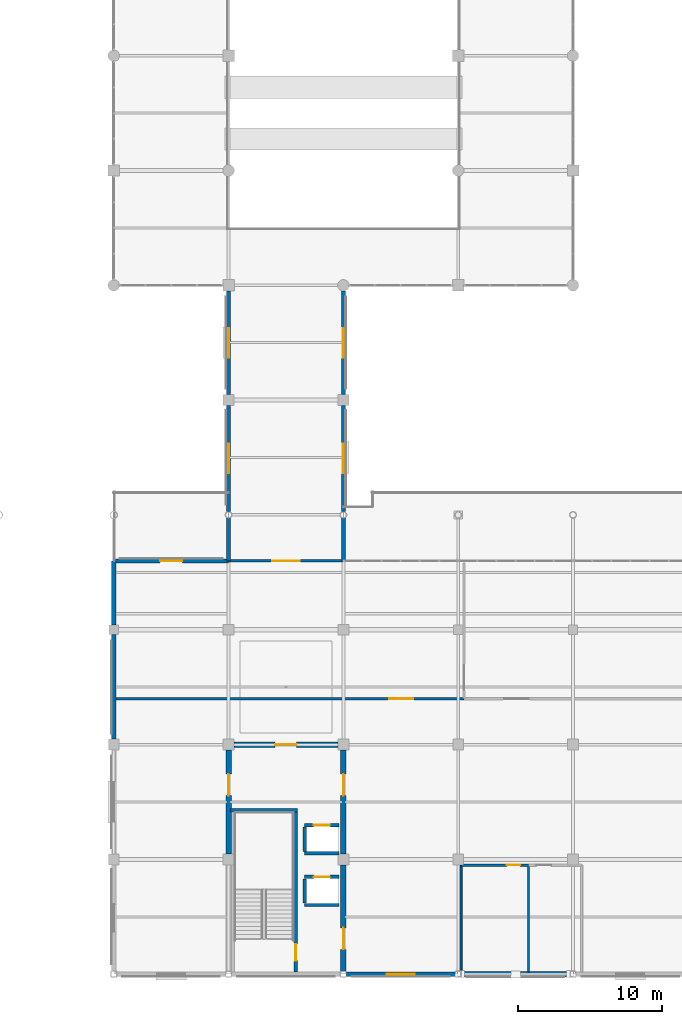
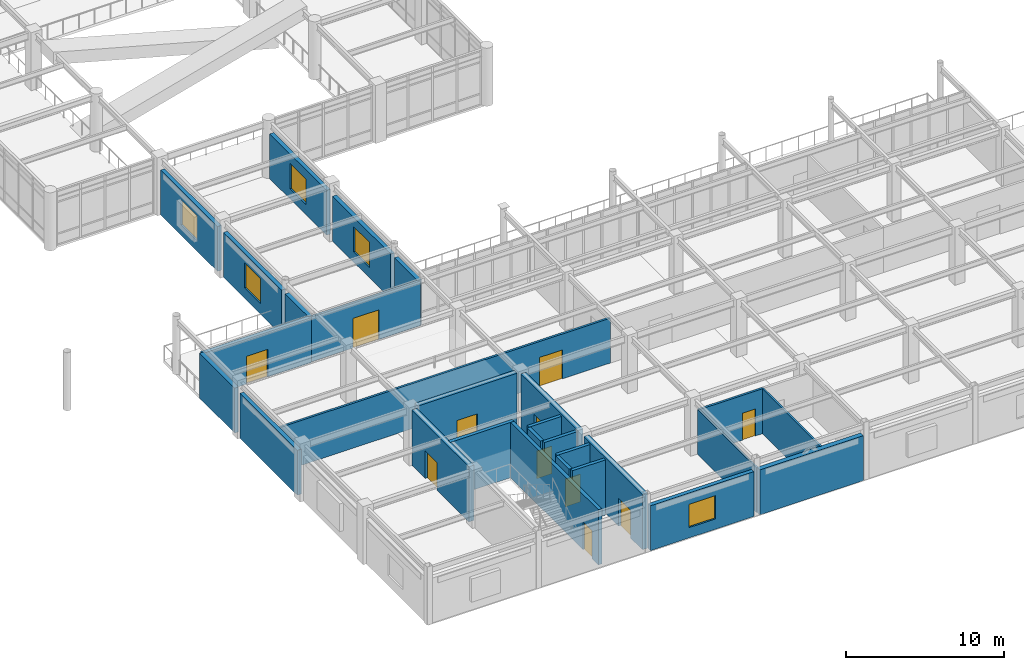
# One storey, part 55 of 75: 28 walls, 11 doors, 5 windows, 16 openings.
"""IFC4 building model written with IfcOpenShell, lengths in metres."""

from ifc_helpers import new_model, si_unit, direction, frame, frame_2d, origin, place, context, subcontext, project, spatial, rectangle, extrude, material, layer, layer_set, type_object, element, fill, save


model = new_model("IFC4")

# Units and contexts
model_context = context("Model", 3, precision=1e-05, world=origin(), true_north=direction((0.0, 1.0)))
body_context = subcontext(model_context, "Body", "Model", "MODEL_VIEW")
ifc_project = project(units=[si_unit("LENGTHUNIT", "METRE"), si_unit("AREAUNIT", "SQUARE_METRE"), si_unit("VOLUMEUNIT", "CUBIC_METRE"), si_unit("PLANEANGLEUNIT", "RADIAN"), si_unit("MASSUNIT", "GRAM", prefix="KILO")], contexts=[model_context])

# Site, building, storey
site_placement = place(None, origin())
site = spatial("IfcSite", under=ifc_project, at=site_placement, CompositionType="ELEMENT")
building_placement = place(site_placement, origin())
building = spatial("IfcBuilding", under=site, at=building_placement, Name="Solmirada Galleria", CompositionType="ELEMENT")
storey_placement = place(building_placement, frame((0.0, 0.0, 19.39990234375)))
storey = spatial("IfcBuildingStorey", under=building, at=storey_placement, Name="L04", CompositionType="ELEMENT", Elevation=19.39990234375)

# Wall, opening, door
ifc_material_1 = material(Name="Concrete C40/50", Category="concrete")
ifc_layer_1 = layer(ifc_material_1, 0.3798828125)
ifc_layer_set_1 = layer_set([ifc_layer_1], Name="Concrete C40/50")
wall_type_1 = type_object("IfcWallType", Name="WL-CORE-380", PredefinedType="SHEAR", material=ifc_layer_set_1)
wall_1_placement = place(storey_placement, frame((88.375, 16.0, 0.0), z_axis=(0.0, 0.0, 1.0), x_axis=(1.0, 0.0, 0.0)))
wall_1 = element("IfcWall", 1, at=wall_1_placement, inside=storey, type_object=wall_type_1, Name="Core C2 shear wall L04 N1", PredefinedType="SHEAR", context=body_context, shape_type="SweptSolid", body=[
    extrude(rectangle(XDim=7.25, YDim=0.3798828125, at=frame_2d((3.625, 0.0))), origin(), (0.0, 0.0, 1.0), 4.280029296875),
])
opening_1_placement = place(wall_1_placement, frame((2.875, 0.0, 0.0)))
opening_1 = element("IfcOpeningElement", 2, at=opening_1_placement, cuts=wall_1, Name="Opening LDY-155", PredefinedType="OPENING", context=body_context, shape_type="SweptSolid", body=[
    extrude(rectangle(XDim=1.5, YDim=2.14990234375, at=frame_2d((0.75, 1.074951171875))), frame((0.0, 0.199951171875, 0.0), z_axis=(0.0, -1.0, 0.0), x_axis=(1.0, 0.0, 0.0)), (0.0, 0.0, 1.0), 0.39990234375),
])
ifc_material_2 = material(Name="Fire-rated painted steel door assembly", Category="steel")
door_type_1 = type_object("IfcDoorType", Name="DR-LOBBY-150X215", OperationType="DOUBLE_DOOR_SINGLE_SWING", PredefinedType="DOOR", material=ifc_material_2)
door_1_placement = place(opening_1_placement, origin())
door_1 = element("IfcDoor", 3, at=door_1_placement, inside=storey, type_object=door_type_1, Name="Core C2 lobby access fire door LDY-155", OperationType="DOUBLE_DOOR_SINGLE_SWING", OverallHeight=2.14990234375, OverallWidth=1.5, PredefinedType="DOOR", context=body_context, shape_type="SweptSolid", body=[
    extrude(rectangle(XDim=1.5, YDim=2.14990234375, at=frame_2d((0.75, 1.074951171875))), frame((0.0, 0.02490234375, 0.0), z_axis=(0.0, -1.0, 0.0), x_axis=(1.0, 0.0, 0.0)), (0.0, 0.0, 1.0), 0.050048828125),
])
fill(opening_1, door_1)

wall_2_placement = place(storey_placement, frame((88.0, 8.375, 0.0), z_axis=(0.0, 0.0, 1.0), x_axis=(0.0, 1.0, 0.0)))
wall_2 = element("IfcWall", 4, at=wall_2_placement, inside=storey, type_object=wall_type_1, Name="Core C2 shear wall L04 W2", PredefinedType="SHEAR", context=body_context, shape_type="SweptSolid", body=[
    extrude(rectangle(XDim=7.25, YDim=0.3798828125, at=frame_2d((3.625, 0.0))), origin(), (0.0, 0.0, 1.0), 4.280029296875),
])
opening_2_placement = place(wall_2_placement, frame((4.06201171875, 0.0, 0.0)))
opening_2 = element("IfcOpeningElement", 5, at=opening_2_placement, cuts=wall_2, Name="Opening LDY-156", PredefinedType="OPENING", context=body_context, shape_type="SweptSolid", body=[
    extrude(rectangle(XDim=1.5, YDim=2.14990234375, at=frame_2d((0.75, 1.074951171875))), frame((0.0, 0.199951171875, 0.0), z_axis=(0.0, -1.0, 0.0), x_axis=(1.0, 0.0, 0.0)), (0.0, 0.0, 1.0), 0.39990234375),
])
door_2_placement = place(opening_2_placement, origin())
door_2 = element("IfcDoor", 6, at=door_2_placement, inside=storey, type_object=door_type_1, Name="Core C2 lobby access fire door LDY-156", OperationType="DOUBLE_DOOR_SINGLE_SWING", OverallHeight=2.14990234375, OverallWidth=1.5, PredefinedType="DOOR", context=body_context, shape_type="SweptSolid", body=[
    extrude(rectangle(XDim=1.5, YDim=2.14990234375, at=frame_2d((0.75, 1.074951171875))), frame((0.0, 0.02490234375, 0.0), z_axis=(0.0, -1.0, 0.0), x_axis=(1.0, 0.0, 0.0)), (0.0, 0.0, 1.0), 0.050048828125),
])
fill(opening_2, door_2)

wall_3_placement = place(storey_placement, frame((96.0, 0.202880859375, 0.0), z_axis=(0.0, 0.0, 1.0), x_axis=(0.0, 1.0, 0.0)))
wall_3 = element("IfcWall", 7, at=wall_3_placement, inside=storey, type_object=wall_type_1, Name="Core C2 shear wall L04 E1", PredefinedType="SHEAR", context=body_context, shape_type="SweptSolid", body=[
    extrude(rectangle(XDim=7.422119140625, YDim=0.3798828125, at=frame_2d((3.7109375, 0.0))), origin(), (0.0, 0.0, 1.0), 4.280029296875),
])
opening_3_placement = place(wall_3_placement, frame((1.52294921875, 0.0, 0.0)))
opening_3 = element("IfcOpeningElement", 8, at=opening_3_placement, cuts=wall_3, Name="Opening LDY-157", PredefinedType="OPENING", context=body_context, shape_type="SweptSolid", body=[
    extrude(rectangle(XDim=1.5, YDim=2.14990234375, at=frame_2d((0.75, 1.074951171875))), frame((0.0, 0.199951171875, 0.0), z_axis=(0.0, -1.0, 0.0), x_axis=(1.0, 0.0, 0.0)), (0.0, 0.0, 1.0), 0.39990234375),
])
door_3_placement = place(opening_3_placement, origin())
door_3 = element("IfcDoor", 9, at=door_3_placement, inside=storey, type_object=door_type_1, Name="Core C2 lobby access fire door LDY-157", OperationType="DOUBLE_DOOR_SINGLE_SWING", OverallHeight=2.14990234375, OverallWidth=1.5, PredefinedType="DOOR", context=body_context, shape_type="SweptSolid", body=[
    extrude(rectangle(XDim=1.5, YDim=2.14990234375, at=frame_2d((0.75, 1.074951171875))), frame((0.0, 0.02490234375, 0.0), z_axis=(0.0, -1.0, 0.0), x_axis=(1.0, 0.0, 0.0)), (0.0, 0.0, 1.0), 0.050048828125),
])
fill(opening_3, door_3)

wall_4_placement = place(storey_placement, frame((96.0, 8.375, 0.0), z_axis=(0.0, 0.0, 1.0), x_axis=(0.0, 1.0, 0.0)))
wall_4 = element("IfcWall", 10, at=wall_4_placement, inside=storey, type_object=wall_type_1, Name="Core C2 shear wall L04 E2", PredefinedType="SHEAR", context=body_context, shape_type="SweptSolid", body=[
    extrude(rectangle(XDim=7.25, YDim=0.3798828125, at=frame_2d((3.625, 0.0))), origin(), (0.0, 0.0, 1.0), 4.280029296875),
])
opening_4_placement = place(wall_4_placement, frame((4.06201171875, 0.0, 0.0)))
opening_4 = element("IfcOpeningElement", 11, at=opening_4_placement, cuts=wall_4, Name="Opening LDY-158", PredefinedType="OPENING", context=body_context, shape_type="SweptSolid", body=[
    extrude(rectangle(XDim=1.5, YDim=2.14990234375, at=frame_2d((0.75, 1.074951171875))), frame((0.0, 0.199951171875, 0.0), z_axis=(0.0, -1.0, 0.0), x_axis=(1.0, 0.0, 0.0)), (0.0, 0.0, 1.0), 0.39990234375),
])
door_4_placement = place(opening_4_placement, origin())
door_4 = element("IfcDoor", 12, at=door_4_placement, inside=storey, type_object=door_type_1, Name="Core C2 lobby access fire door LDY-158", OperationType="DOUBLE_DOOR_SINGLE_SWING", OverallHeight=2.14990234375, OverallWidth=1.5, PredefinedType="DOOR", context=body_context, shape_type="SweptSolid", body=[
    extrude(rectangle(XDim=1.5, YDim=2.14990234375, at=frame_2d((0.75, 1.074951171875))), frame((0.0, 0.02490234375, 0.0), z_axis=(0.0, -1.0, 0.0), x_axis=(1.0, 0.0, 0.0)), (0.0, 0.0, 1.0), 0.050048828125),
])
fill(opening_4, door_4)

# Wall
ifc_material_3 = material(Name="Precast concrete C40/50", Category="concrete")
ifc_layer_2 = layer(ifc_material_3, 0.2900390625)
ifc_layer_set_2 = layer_set([ifc_layer_2], Name="Precast concrete C40/50")
wall_type_2 = type_object("IfcWallType", Name="WL-EXT-290", PredefinedType="STANDARD", material=ifc_layer_set_2)
wall_5_placement = place(storey_placement, frame((88.0, 28.800048828125, 0.0), z_axis=(0.0, 0.0, 1.0), x_axis=(0.0, 1.0, 0.0)))
element("IfcWall", 13, at=wall_5_placement, inside=storey, type_object=wall_type_2, Name="Exterior wall L04 bay 001", PredefinedType="STANDARD", context=body_context, shape_type="SweptSolid", body=[
    extrude(rectangle(XDim=2.971435546875, YDim=0.2900390625, at=frame_2d((1.48583984375, 0.0))), origin(), (0.0, 0.0, 1.0), 3.47998046875),
])

# Wall, opening, window
wall_6_placement = place(storey_placement, frame((88.0, 32.228515625, 0.0), z_axis=(0.0, 0.0, 1.0), x_axis=(0.0, 1.0, 0.0)))
wall_6 = element("IfcWall", 14, at=wall_6_placement, inside=storey, type_object=wall_type_2, Name="Exterior wall L04 bay 002", PredefinedType="STANDARD", context=body_context, shape_type="SweptSolid", body=[
    extrude(rectangle(XDim=7.396484375, YDim=0.2900390625, at=frame_2d((3.6982421875, 0.0))), origin(), (0.0, 0.0, 1.0), 3.47998046875),
])
opening_5_placement = place(wall_6_placement, frame((2.673095703125, 0.0, 0.800048828125)))
opening_5 = element("IfcOpeningElement", 15, at=opening_5_placement, cuts=wall_6, Name="Opening WN4", PredefinedType="OPENING", context=body_context, shape_type="SweptSolid", body=[
    extrude(rectangle(XDim=2.050048828125, YDim=1.949951171875, at=frame_2d((1.02490234375, 0.97509765625))), frame((0.0, 0.155029296875, 0.0), z_axis=(0.0, -1.0, 0.0), x_axis=(1.0, 0.0, 0.0)), (0.0, 0.0, 1.0), 0.31005859375),
])
ifc_material_4 = material(Name="Impact-resistant low-E double glazing", Category="glass")
window_type_1 = type_object("IfcWindowType", Name="WIN-AVE-205X195", PartitioningType="DOUBLE_PANEL_VERTICAL", PredefinedType="WINDOW", material=ifc_material_4)
window_1_placement = place(opening_5_placement, origin())
window_1 = element("IfcWindow", 16, at=window_1_placement, inside=storey, type_object=window_type_1, Name="Window L04-113", OverallHeight=1.949951171875, OverallWidth=2.050048828125, PartitioningType="DOUBLE_PANEL_VERTICAL", PredefinedType="WINDOW", context=body_context, shape_type="SweptSolid", body=[
    extrude(rectangle(XDim=2.050048828125, YDim=1.949951171875, at=frame_2d((1.02490234375, 0.97509765625))), frame((0.0, 0.030029296875, 0.0), z_axis=(0.0, -1.0, 0.0), x_axis=(1.0, 0.0, 0.0)), (0.0, 0.0, 1.0), 0.06005859375),
])
fill(opening_5, window_1)

wall_7_placement = place(storey_placement, frame((88.0, 40.375, 0.0), z_axis=(0.0, 0.0, 1.0), x_axis=(0.0, 1.0, 0.0)))
wall_7 = element("IfcWall", 17, at=wall_7_placement, inside=storey, type_object=wall_type_2, Name="Exterior wall L04 bay 003", PredefinedType="STANDARD", context=body_context, shape_type="SweptSolid", body=[
    extrude(rectangle(XDim=7.22509765625, YDim=0.2900390625, at=frame_2d((3.612548828125, 0.0))), origin(), (0.0, 0.0, 1.0), 3.47998046875),
])
opening_6_placement = place(wall_7_placement, frame((2.587890625, 0.0, 0.800048828125)))
opening_6 = element("IfcOpeningElement", 18, at=opening_6_placement, cuts=wall_7, Name="Opening WN4", PredefinedType="OPENING", context=body_context, shape_type="SweptSolid", body=[
    extrude(rectangle(XDim=2.050048828125, YDim=1.949951171875, at=frame_2d((1.02490234375, 0.97509765625))), frame((0.0, 0.155029296875, 0.0), z_axis=(0.0, -1.0, 0.0), x_axis=(1.0, 0.0, 0.0)), (0.0, 0.0, 1.0), 0.31005859375),
])
window_2_placement = place(opening_6_placement, origin())
window_2 = element("IfcWindow", 19, at=window_2_placement, inside=storey, type_object=window_type_1, Name="Window L04-114", OverallHeight=1.949951171875, OverallWidth=2.050048828125, PartitioningType="DOUBLE_PANEL_VERTICAL", PredefinedType="WINDOW", context=body_context, shape_type="SweptSolid", body=[
    extrude(rectangle(XDim=2.050048828125, YDim=1.949951171875, at=frame_2d((1.02490234375, 0.97509765625))), frame((0.0, 0.030029296875, 0.0), z_axis=(0.0, -1.0, 0.0), x_axis=(1.0, 0.0, 0.0)), (0.0, 0.0, 1.0), 0.06005859375),
])
fill(opening_6, window_2)

wall_8_placement = place(storey_placement, frame((96.0, 47.60009765625, 0.0), z_axis=(0.0, 0.0, 1.0), x_axis=(0.0, -1.0, 0.0)))
wall_8 = element("IfcWall", 20, at=wall_8_placement, inside=storey, type_object=wall_type_2, Name="Exterior wall L04 bay 047", PredefinedType="STANDARD", context=body_context, shape_type="SweptSolid", body=[
    extrude(rectangle(XDim=7.22509765625, YDim=0.2900390625, at=frame_2d((3.612548828125, 0.0))), origin(), (0.0, 0.0, 1.0), 3.47998046875),
])
opening_7_placement = place(wall_8_placement, frame((2.587890625, 0.0, 0.800048828125)))
opening_7 = element("IfcOpeningElement", 21, at=opening_7_placement, cuts=wall_8, Name="Opening WN4", PredefinedType="OPENING", context=body_context, shape_type="SweptSolid", body=[
    extrude(rectangle(XDim=2.050048828125, YDim=1.949951171875, at=frame_2d((1.02490234375, 0.97509765625))), frame((0.0, 0.155029296875, 0.0), z_axis=(0.0, -1.0, 0.0), x_axis=(1.0, 0.0, 0.0)), (0.0, 0.0, 1.0), 0.31005859375),
])
window_3_placement = place(opening_7_placement, origin())
window_3 = element("IfcWindow", 22, at=window_3_placement, inside=storey, type_object=window_type_1, Name="Window L04-129", OverallHeight=1.949951171875, OverallWidth=2.050048828125, PartitioningType="DOUBLE_PANEL_VERTICAL", PredefinedType="WINDOW", context=body_context, shape_type="SweptSolid", body=[
    extrude(rectangle(XDim=2.050048828125, YDim=1.949951171875, at=frame_2d((1.02490234375, 0.97509765625))), frame((0.0, 0.030029296875, 0.0), z_axis=(0.0, -1.0, 0.0), x_axis=(1.0, 0.0, 0.0)), (0.0, 0.0, 1.0), 0.06005859375),
])
fill(opening_7, window_3)

wall_9_placement = place(storey_placement, frame((96.0, 39.625, 0.0), z_axis=(0.0, 0.0, 1.0), x_axis=(0.0, -1.0, 0.0)))
wall_9 = element("IfcWall", 23, at=wall_9_placement, inside=storey, type_object=wall_type_2, Name="Exterior wall L04 bay 048", PredefinedType="STANDARD", context=body_context, shape_type="SweptSolid", body=[
    extrude(rectangle(XDim=7.396484375, YDim=0.2900390625, at=frame_2d((3.6982421875, 0.0))), origin(), (0.0, 0.0, 1.0), 3.47998046875),
])
opening_8_placement = place(wall_9_placement, frame((2.673095703125, 0.0, 0.800048828125)))
opening_8 = element("IfcOpeningElement", 24, at=opening_8_placement, cuts=wall_9, Name="Opening WN4", PredefinedType="OPENING", context=body_context, shape_type="SweptSolid", body=[
    extrude(rectangle(XDim=2.050048828125, YDim=1.949951171875, at=frame_2d((1.02490234375, 0.97509765625))), frame((0.0, 0.155029296875, 0.0), z_axis=(0.0, -1.0, 0.0), x_axis=(1.0, 0.0, 0.0)), (0.0, 0.0, 1.0), 0.31005859375),
])
window_4_placement = place(opening_8_placement, origin())
window_4 = element("IfcWindow", 25, at=window_4_placement, inside=storey, type_object=window_type_1, Name="Window L04-130", OverallHeight=1.949951171875, OverallWidth=2.050048828125, PartitioningType="DOUBLE_PANEL_VERTICAL", PredefinedType="WINDOW", context=body_context, shape_type="SweptSolid", body=[
    extrude(rectangle(XDim=2.050048828125, YDim=1.949951171875, at=frame_2d((1.02490234375, 0.97509765625))), frame((0.0, 0.030029296875, 0.0), z_axis=(0.0, -1.0, 0.0), x_axis=(1.0, 0.0, 0.0)), (0.0, 0.0, 1.0), 0.06005859375),
])
fill(opening_8, window_4)

# Wall
wall_10_placement = place(storey_placement, frame((96.0, 31.771484375, 0.0), z_axis=(0.0, 0.0, 1.0), x_axis=(0.0, -1.0, 0.0)))
element("IfcWall", 26, at=wall_10_placement, inside=storey, type_object=wall_type_2, Name="Exterior wall L04 bay 049", PredefinedType="STANDARD", context=body_context, shape_type="SweptSolid", body=[
    extrude(rectangle(XDim=2.971435546875, YDim=0.2900390625, at=frame_2d((1.48583984375, 0.0))), origin(), (0.0, 0.0, 1.0), 3.47998046875),
])

# Wall, opening, window
wall_11_placement = place(storey_placement, frame((103.797119140625, 0.0, 0.0), z_axis=(0.0, 0.0, 1.0), x_axis=(-1.0, 0.0, 0.0)))
wall_11 = element("IfcWall", 27, at=wall_11_placement, inside=storey, type_object=wall_type_2, Name="Exterior wall L04 bay 063", PredefinedType="STANDARD", context=body_context, shape_type="SweptSolid", body=[
    extrude(rectangle(XDim=7.59423828125, YDim=0.2900390625, at=frame_2d((3.797119140625, 0.0))), origin(), (0.0, 0.0, 1.0), 3.47998046875),
])
opening_9_placement = place(wall_11_placement, frame((2.822021484375, 0.0, 0.800048828125)))
opening_9 = element("IfcOpeningElement", 28, at=opening_9_placement, cuts=wall_11, Name="Opening WN30", PredefinedType="OPENING", context=body_context, shape_type="SweptSolid", body=[
    extrude(rectangle(XDim=1.949951171875, YDim=1.800048828125, at=frame_2d((0.97509765625, 0.89990234375))), frame((0.0, 0.155029296875, 0.0), z_axis=(0.0, -1.0, 0.0), x_axis=(1.0, 0.0, 0.0)), (0.0, 0.0, 1.0), 0.31005859375),
])
window_type_2 = type_object("IfcWindowType", Name="WIN-ATEL-195X180", PartitioningType="DOUBLE_PANEL_VERTICAL", PredefinedType="WINDOW", material=ifc_material_4)
window_5_placement = place(opening_9_placement, origin())
window_5 = element("IfcWindow", 29, at=window_5_placement, inside=storey, type_object=window_type_2, Name="Window L04-135", OverallHeight=1.800048828125, OverallWidth=1.949951171875, PartitioningType="DOUBLE_PANEL_VERTICAL", PredefinedType="WINDOW", context=body_context, shape_type="SweptSolid", body=[
    extrude(rectangle(XDim=1.949951171875, YDim=1.800048828125, at=frame_2d((0.97509765625, 0.89990234375))), frame((0.0, 0.030029296875, 0.0), z_axis=(0.0, -1.0, 0.0), x_axis=(1.0, 0.0, 0.0)), (0.0, 0.0, 1.0), 0.06005859375),
])
fill(opening_9, window_5)

# Walls
wall_12_placement = place(storey_placement, frame((80.0, 16.375, 0.0), z_axis=(0.0, 0.0, 1.0), x_axis=(0.0, 1.0, 0.0)))
element("IfcWall", 30, at=wall_12_placement, inside=storey, type_object=wall_type_2, Name="Exterior wall L04 bay 068", PredefinedType="STANDARD", context=body_context, shape_type="SweptSolid", body=[
    extrude(rectangle(XDim=7.300048828125, YDim=0.2900390625, at=frame_2d((3.64990234375, 0.0))), origin(), (0.0, 0.0, 1.0), 3.47998046875),
])
wall_13_placement = place(storey_placement, frame((80.0, 24.324951171875, 0.0), z_axis=(0.0, 0.0, 1.0), x_axis=(0.0, 1.0, 0.0)))
element("IfcWall", 31, at=wall_13_placement, inside=storey, type_object=wall_type_2, Name="Exterior wall L04 bay 069", PredefinedType="STANDARD", context=body_context, shape_type="SweptSolid", body=[
    extrude(rectangle(XDim=4.47509765625, YDim=0.2900390625, at=frame_2d((2.237548828125, 0.0))), origin(), (0.0, 0.0, 1.0), 3.47998046875),
])

# Wall, opening, door
wall_14_placement = place(storey_placement, frame((80.0, 28.800048828125, 0.0), z_axis=(0.0, 0.0, 1.0), x_axis=(1.0, 0.0, 0.0)))
wall_14 = element("IfcWall", 32, at=wall_14_placement, inside=storey, type_object=wall_type_2, Name="Exterior wall L04 bay 070", PredefinedType="STANDARD", context=body_context, shape_type="SweptSolid", body=[
    extrude(rectangle(XDim=8.0, YDim=0.2900390625, at=frame_2d((4.0, 0.0))), origin(), (0.0, 0.0, 1.0), 3.47998046875),
])
opening_10_placement = place(wall_14_placement, frame((3.22509765625, 0.0, 0.0)))
opening_10 = element("IfcOpeningElement", 33, at=opening_10_placement, cuts=wall_14, Name="Opening TD-074", PredefinedType="OPENING", context=body_context, shape_type="SweptSolid", body=[
    extrude(rectangle(XDim=1.550048828125, YDim=2.14990234375, at=frame_2d((0.77490234375, 1.074951171875))), frame((0.0, 0.155029296875, 0.0), z_axis=(0.0, -1.0, 0.0), x_axis=(1.0, 0.0, 0.0)), (0.0, 0.0, 1.0), 0.31005859375),
])
ifc_material_5 = material(Name="Thermally broken aluminium and laminated glass door", Category="aluminium")
door_type_2 = type_object("IfcDoorType", Name="DR-TERR-155X215", OperationType="DOUBLE_DOOR_SINGLE_SWING", PredefinedType="DOOR", material=ifc_material_5)
door_5_placement = place(opening_10_placement, origin())
door_5 = element("IfcDoor", 34, at=door_5_placement, inside=storey, type_object=door_type_2, Name="Planted terrace access door TD-074", OperationType="DOUBLE_DOOR_SINGLE_SWING", OverallHeight=2.14990234375, OverallWidth=1.550048828125, PredefinedType="DOOR", context=body_context, shape_type="SweptSolid", body=[
    extrude(rectangle(XDim=1.550048828125, YDim=2.14990234375, at=frame_2d((0.77490234375, 1.074951171875))), frame((0.0, 0.02490234375, 0.0), z_axis=(0.0, -1.0, 0.0), x_axis=(1.0, 0.0, 0.0)), (0.0, 0.0, 1.0), 0.050048828125),
])
fill(opening_10, door_5)

ifc_layer_3 = layer(ifc_material_1, 0.239990234375)
ifc_layer_set_3 = layer_set([ifc_layer_3], Name="Concrete C40/50")
wall_type_3 = type_object("IfcWallType", Name="WL-HOIST-240", PredefinedType="PARTITIONING", material=ifc_layer_set_3)
wall_15_placement = place(storey_placement, frame((93.294921875, 6.780029296875, 0.0), z_axis=(0.0, 0.0, 1.0), x_axis=(1.0, 0.0, 0.0)))
wall_15 = element("IfcWall", 35, at=wall_15_placement, inside=storey, type_object=wall_type_3, Name="Lift LP3 hoistway front wall L04", PredefinedType="PARTITIONING", context=body_context, shape_type="SweptSolid", body=[
    extrude(rectangle(XDim=2.41015625, YDim=0.239990234375, at=frame_2d((1.205078125, 0.0))), origin(), (0.0, 0.0, 1.0), 4.280029296875),
])
opening_11_placement = place(wall_15_placement, frame((0.655029296875, 0.0, 0.0)))
opening_11 = element("IfcOpeningElement", 36, at=opening_11_placement, cuts=wall_15, Name="Opening LD-LP3-L04", PredefinedType="OPENING", context=body_context, shape_type="SweptSolid", body=[
    extrude(rectangle(XDim=1.10009765625, YDim=2.14990234375, at=frame_2d((0.550048828125, 1.074951171875))), frame((0.0, 0.1298828125, 0.0), z_axis=(0.0, -1.0, 0.0), x_axis=(1.0, 0.0, 0.0)), (0.0, 0.0, 1.0), 0.260009765625),
])
ifc_material_6 = material(Name="Brushed stainless-steel sliding landing door", Category="steel")
door_type_3 = type_object("IfcDoorType", Name="DR-LIFT-110X215", OperationType="SLIDING_TO_LEFT", PredefinedType="DOOR", material=ifc_material_6)
door_6_placement = place(opening_11_placement, origin())
door_6 = element("IfcDoor", 37, at=door_6_placement, inside=storey, type_object=door_type_3, Name="Lift LP3 sliding landing door L04", OperationType="SLIDING_TO_LEFT", OverallHeight=2.14990234375, OverallWidth=1.10009765625, PredefinedType="DOOR", context=body_context, shape_type="SweptSolid", body=[
    extrude(rectangle(XDim=1.10009765625, YDim=2.14990234375, at=frame_2d((0.550048828125, 1.074951171875))), frame((0.0, 0.02490234375, 0.0), z_axis=(0.0, -1.0, 0.0), x_axis=(1.0, 0.0, 0.0)), (0.0, 0.0, 1.0), 0.050048828125),
])
fill(opening_11, door_6)

# Walls
wall_16_placement = place(storey_placement, frame((93.294921875, 4.820068359375, 0.0), z_axis=(0.0, 0.0, 1.0), x_axis=(1.0, 0.0, 0.0)))
element("IfcWall", 38, at=wall_16_placement, inside=storey, type_object=wall_type_3, Name="Lift LP3 hoistway rear wall L04", PredefinedType="PARTITIONING", context=body_context, shape_type="SweptSolid", body=[
    extrude(rectangle(XDim=2.41015625, YDim=0.239990234375, at=frame_2d((1.205078125, 0.0))), origin(), (0.0, 0.0, 1.0), 4.280029296875),
])
wall_17_placement = place(storey_placement, frame((93.294921875, 4.9599609375, 0.0), z_axis=(0.0, 0.0, 1.0), x_axis=(0.0, 1.0, 0.0)))
element("IfcWall", 39, at=wall_17_placement, inside=storey, type_object=wall_type_3, Name="Lift LP3 hoistway side wall L L04", PredefinedType="PARTITIONING", context=body_context, shape_type="SweptSolid", body=[
    extrude(rectangle(XDim=1.679931640625, YDim=0.239990234375, at=frame_2d((0.83984375, 0.0))), origin(), (0.0, 0.0, 1.0), 4.280029296875),
])

# Wall, opening, door
wall_18_placement = place(storey_placement, frame((93.294921875, 10.3798828125, 0.0), z_axis=(0.0, 0.0, 1.0), x_axis=(1.0, 0.0, 0.0)))
wall_18 = element("IfcWall", 40, at=wall_18_placement, inside=storey, type_object=wall_type_3, Name="Lift LP4 hoistway front wall L04", PredefinedType="PARTITIONING", context=body_context, shape_type="SweptSolid", body=[
    extrude(rectangle(XDim=2.41015625, YDim=0.239990234375, at=frame_2d((1.205078125, 0.0))), origin(), (0.0, 0.0, 1.0), 4.280029296875),
])
opening_12_placement = place(wall_18_placement, frame((0.655029296875, 0.0, 0.0)))
opening_12 = element("IfcOpeningElement", 41, at=opening_12_placement, cuts=wall_18, Name="Opening LD-LP4-L04", PredefinedType="OPENING", context=body_context, shape_type="SweptSolid", body=[
    extrude(rectangle(XDim=1.10009765625, YDim=2.14990234375, at=frame_2d((0.550048828125, 1.074951171875))), frame((0.0, 0.1298828125, 0.0), z_axis=(0.0, -1.0, 0.0), x_axis=(1.0, 0.0, 0.0)), (0.0, 0.0, 1.0), 0.260009765625),
])
door_7_placement = place(opening_12_placement, origin())
door_7 = element("IfcDoor", 42, at=door_7_placement, inside=storey, type_object=door_type_3, Name="Lift LP4 sliding landing door L04", OperationType="SLIDING_TO_LEFT", OverallHeight=2.14990234375, OverallWidth=1.10009765625, PredefinedType="DOOR", context=body_context, shape_type="SweptSolid", body=[
    extrude(rectangle(XDim=1.10009765625, YDim=2.14990234375, at=frame_2d((0.550048828125, 1.074951171875))), frame((0.0, 0.02490234375, 0.0), z_axis=(0.0, -1.0, 0.0), x_axis=(1.0, 0.0, 0.0)), (0.0, 0.0, 1.0), 0.050048828125),
])
fill(opening_12, door_7)

# Walls
wall_19_placement = place(storey_placement, frame((93.294921875, 8.419921875, 0.0), z_axis=(0.0, 0.0, 1.0), x_axis=(1.0, 0.0, 0.0)))
element("IfcWall", 43, at=wall_19_placement, inside=storey, type_object=wall_type_3, Name="Lift LP4 hoistway rear wall L04", PredefinedType="PARTITIONING", context=body_context, shape_type="SweptSolid", body=[
    extrude(rectangle(XDim=2.41015625, YDim=0.239990234375, at=frame_2d((1.205078125, 0.0))), origin(), (0.0, 0.0, 1.0), 4.280029296875),
])
wall_20_placement = place(storey_placement, frame((93.294921875, 8.56005859375, 0.0), z_axis=(0.0, 0.0, 1.0), x_axis=(0.0, 1.0, 0.0)))
element("IfcWall", 44, at=wall_20_placement, inside=storey, type_object=wall_type_3, Name="Lift LP4 hoistway side wall L L04", PredefinedType="PARTITIONING", context=body_context, shape_type="SweptSolid", body=[
    extrude(rectangle(XDim=1.679931640625, YDim=0.239990234375, at=frame_2d((0.83984375, 0.0))), origin(), (0.0, 0.0, 1.0), 4.280029296875),
])
ifc_material_7 = material(Name="Acoustic gypsum board partition")
ifc_layer_4 = layer(ifc_material_7, 0.135009765625)
ifc_layer_set_4 = layer_set([ifc_layer_4], Name="Acoustic gypsum board partition")
wall_type_4 = type_object("IfcWallType", Name="WL-PART-135", PredefinedType="PARTITIONING", material=ifc_layer_set_4)
for number, where, z_axis, x_axis, name in (
    (45, (104.199951171875, 0.14990234375, 0.0), (0.0, 0.0, 1.0), (0.0, 1.0, 0.0), "Partition L04-131 (South WC West)"),
    (46, (108.89990234375, 0.14990234375, 0.0), (0.0, 0.0, 1.0), (0.0, 1.0, 0.0), "Partition L04-132 (South WC Divider)"),
):
    element("IfcWall", number, at=place(storey_placement, frame(where, z_axis=z_axis, x_axis=x_axis)), inside=storey, type_object=wall_type_4, Name=name, PredefinedType="PARTITIONING", context=body_context, shape_type="SweptSolid", body=[
        extrude(rectangle(XDim=7.4501953125, YDim=0.135009765625, at=frame_2d((3.72509765625, 0.0))), origin(), (0.0, 0.0, 1.0), 3.47998046875),
    ])

# Wall, opening, door
ifc_layer_5 = layer(ifc_material_7, 0.159912109375)
ifc_layer_set_5 = layer_set([ifc_layer_5], Name="Acoustic gypsum board partition")
wall_type_5 = type_object("IfcWallType", Name="WL-PART-160", PredefinedType="PARTITIONING", material=ifc_layer_set_5)
wall_21_placement = place(storey_placement, frame((104.199951171875, 7.60009765625, 0.0), z_axis=(0.0, 0.0, 1.0), x_axis=(1.0, 0.0, 0.0)))
wall_21 = element("IfcWall", 47, at=wall_21_placement, inside=storey, type_object=wall_type_5, Name="Partition L04-129 (South Restroom)", PredefinedType="PARTITIONING", context=body_context, shape_type="SweptSolid", body=[
    extrude(rectangle(XDim=4.699951171875, YDim=0.159912109375, at=frame_2d((2.35009765625, 0.0))), origin(), (0.0, 0.0, 1.0), 3.47998046875),
])
opening_13_placement = place(wall_21_placement, frame((3.193115234375, 0.0, 0.0)))
opening_13 = element("IfcOpeningElement", 48, at=opening_13_placement, cuts=wall_21, Name="Opening ID-352", PredefinedType="OPENING", context=body_context, shape_type="SweptSolid", body=[
    extrude(rectangle(XDim=0.919921875, YDim=2.10009765625, at=frame_2d((0.4599609375, 1.050048828125))), frame((0.0, 0.08984375, 0.0), z_axis=(0.0, -1.0, 0.0), x_axis=(1.0, 0.0, 0.0)), (0.0, 0.0, 1.0), 0.179931640625),
])
ifc_material_8 = material(Name="Architectural hardwood veneer door", Category="wood")
door_type_4 = type_object("IfcDoorType", Name="DR-WC-092X210", OperationType="NOTDEFINED", PredefinedType="DOOR", material=ifc_material_8)
door_8_placement = place(opening_13_placement, origin())
door_8 = element("IfcDoor", 49, at=door_8_placement, inside=storey, type_object=door_type_4, Name="South Restroom door ID-352", OperationType="SINGLE_SWING_RIGHT", OverallHeight=2.10009765625, OverallWidth=0.919921875, PredefinedType="DOOR", context=body_context, shape_type="SweptSolid", body=[
    extrude(rectangle(XDim=0.919921875, YDim=2.10009765625, at=frame_2d((0.4599609375, 1.050048828125))), frame((0.0, 0.02490234375, 0.0), z_axis=(0.0, -1.0, 0.0), x_axis=(1.0, 0.0, 0.0)), (0.0, 0.0, 1.0), 0.050048828125),
])
fill(opening_13, door_8)

wall_22_placement = place(storey_placement, frame((80.14990234375, 19.199951171875, 0.0), z_axis=(0.0, 0.0, 1.0), x_axis=(1.0, 0.0, 0.0)))
wall_22 = element("IfcWall", 50, at=wall_22_placement, inside=storey, type_object=wall_type_5, Name="Partition L04-134 (South Gallery W L04)", PredefinedType="PARTITIONING", context=body_context, shape_type="SweptSolid", body=[
    extrude(rectangle(XDim=24.25, YDim=0.159912109375, at=frame_2d((12.125, 0.0))), origin(), (0.0, 0.0, 1.0), 3.47998046875),
])
opening_14_placement = place(wall_22_placement, frame((19.032958984375, 0.0, 0.0)))
opening_14 = element("IfcOpeningElement", 51, at=opening_14_placement, cuts=wall_22, Name="Opening ID-354", PredefinedType="OPENING", context=body_context, shape_type="SweptSolid", body=[
    extrude(rectangle(XDim=1.699951171875, YDim=2.25, at=frame_2d((0.85009765625, 1.125))), frame((0.0, 0.08984375, 0.0), z_axis=(0.0, -1.0, 0.0), x_axis=(1.0, 0.0, 0.0)), (0.0, 0.0, 1.0), 0.179931640625),
])
door_type_5 = type_object("IfcDoorType", Name="DR-DEPT-170X225", OperationType="DOUBLE_DOOR_SINGLE_SWING", PredefinedType="DOOR", material=ifc_material_8)
door_9_placement = place(opening_14_placement, origin())
door_9 = element("IfcDoor", 52, at=door_9_placement, inside=storey, type_object=door_type_5, Name="South Gallery W L04 door ID-354", OperationType="DOUBLE_DOOR_SINGLE_SWING", OverallHeight=2.25, OverallWidth=1.699951171875, PredefinedType="DOOR", context=body_context, shape_type="SweptSolid", body=[
    extrude(rectangle(XDim=1.699951171875, YDim=2.25, at=frame_2d((0.85009765625, 1.125))), frame((0.0, 0.02490234375, 0.0), z_axis=(0.0, -1.0, 0.0), x_axis=(1.0, 0.0, 0.0)), (0.0, 0.0, 1.0), 0.050048828125),
])
fill(opening_14, door_9)

wall_23_placement = place(storey_placement, frame((88.0, 28.800048828125, 0.0), z_axis=(0.0, 0.0, 1.0), x_axis=(1.0, 0.0, 0.0)))
wall_23 = element("IfcWall", 53, at=wall_23_placement, inside=storey, type_object=wall_type_5, Name="Partition L04-139 (South Atrium Link L04)", PredefinedType="PARTITIONING", context=body_context, shape_type="SweptSolid", body=[
    extrude(rectangle(XDim=8.0, YDim=0.159912109375, at=frame_2d((4.0, 0.0))), origin(), (0.0, 0.0, 1.0), 3.47998046875),
])
opening_15_placement = place(wall_23_placement, frame((3.050048828125, 0.0, 0.0)))
opening_15 = element("IfcOpeningElement", 54, at=opening_15_placement, cuts=wall_23, Name="Opening ID-359", PredefinedType="OPENING", context=body_context, shape_type="SweptSolid", body=[
    extrude(rectangle(XDim=1.89990234375, YDim=2.300048828125, at=frame_2d((0.949951171875, 1.14990234375))), frame((0.0, 0.08984375, 0.0), z_axis=(0.0, -1.0, 0.0), x_axis=(1.0, 0.0, 0.0)), (0.0, 0.0, 1.0), 0.179931640625),
])
door_type_6 = type_object("IfcDoorType", Name="DR-DEPT-190X230", OperationType="DOUBLE_DOOR_SINGLE_SWING", PredefinedType="DOOR", material=ifc_material_8)
door_10_placement = place(opening_15_placement, origin())
door_10 = element("IfcDoor", 55, at=door_10_placement, inside=storey, type_object=door_type_6, Name="South Atrium Link L04 door ID-359", OperationType="DOUBLE_DOOR_SINGLE_SWING", OverallHeight=2.300048828125, OverallWidth=1.89990234375, PredefinedType="DOOR", context=body_context, shape_type="SweptSolid", body=[
    extrude(rectangle(XDim=1.89990234375, YDim=2.300048828125, at=frame_2d((0.949951171875, 1.14990234375))), frame((0.0, 0.02490234375, 0.0), z_axis=(0.0, -1.0, 0.0), x_axis=(1.0, 0.0, 0.0)), (0.0, 0.0, 1.0), 0.050048828125),
])
fill(opening_15, door_10)

# Wall
ifc_layer_6 = layer(ifc_material_1, 0.260009765625)
ifc_layer_set_6 = layer_set([ifc_layer_6], Name="Concrete C40/50")
wall_type_6 = type_object("IfcWallType", Name="WL-SHAFT-260", PredefinedType="SHEAR", material=ifc_layer_set_6)
wall_24_placement = place(storey_placement, frame((88.139892578125, 11.429931640625, 0.0), z_axis=(0.0, 0.0, 1.0), x_axis=(1.0, 0.0, 0.0)))
element("IfcWall", 56, at=wall_24_placement, inside=storey, type_object=wall_type_6, Name="Stair ST2 enclosure wall L04 N", PredefinedType="SHEAR", context=body_context, shape_type="SweptSolid", body=[
    extrude(rectangle(XDim=4.670166015625, YDim=0.260009765625, at=frame_2d((2.3349609375, 0.0))), origin(), (0.0, 0.0, 1.0), 4.280029296875),
])

# Wall, opening, door
wall_25_placement = place(storey_placement, frame((92.679931640625, 0.14501953125, 0.0), z_axis=(0.0, 0.0, 1.0), x_axis=(0.0, 1.0, 0.0)))
wall_25 = element("IfcWall", 57, at=wall_25_placement, inside=storey, type_object=wall_type_6, Name="Stair ST2 enclosure wall L04 E", PredefinedType="SHEAR", context=body_context, shape_type="SweptSolid", body=[
    extrude(rectangle(XDim=11.155029296875, YDim=0.260009765625, at=frame_2d((5.57763671875, 0.0))), origin(), (0.0, 0.0, 1.0), 4.280029296875),
])
opening_16_placement = place(wall_25_placement, frame((0.804931640625, 0.0, 0.0)))
opening_16 = element("IfcOpeningElement", 58, at=opening_16_placement, cuts=wall_25, Name="Opening SD-154", PredefinedType="OPENING", context=body_context, shape_type="SweptSolid", body=[
    extrude(rectangle(XDim=1.14990234375, YDim=2.14990234375, at=frame_2d((0.574951171875, 1.074951171875))), frame((0.0, 0.139892578125, 0.0), z_axis=(0.0, -1.0, 0.0), x_axis=(1.0, 0.0, 0.0)), (0.0, 0.0, 1.0), 0.280029296875),
])
door_type_7 = type_object("IfcDoorType", Name="DR-STAIR-115X215", OperationType="NOTDEFINED", PredefinedType="DOOR", material=ifc_material_2)
door_11_placement = place(opening_16_placement, origin())
door_11 = element("IfcDoor", 59, at=door_11_placement, inside=storey, type_object=door_type_7, Name="Exit stair ST2 enclosure fire door SD-154", OperationType="SINGLE_SWING_RIGHT", OverallHeight=2.14990234375, OverallWidth=1.14990234375, PredefinedType="DOOR", context=body_context, shape_type="SweptSolid", body=[
    extrude(rectangle(XDim=1.14990234375, YDim=2.14990234375, at=frame_2d((0.574951171875, 1.074951171875))), frame((0.0, 0.02490234375, 0.0), z_axis=(0.0, -1.0, 0.0), x_axis=(1.0, 0.0, 0.0)), (0.0, 0.0, 1.0), 0.050048828125),
])
fill(opening_16, door_11)

# Wall
ifc_material_9 = material(Name="Architectural concrete masonry C30/37", Category="masonry")
ifc_layer_7 = layer(ifc_material_9, 0.360107421875)
ifc_layer_set_7 = layer_set([ifc_layer_7], Name="Architectural concrete masonry C30/37")
wall_type_7 = type_object("IfcWallType", Name="WL-SOLID-360", PredefinedType="SOLIDWALL", material=ifc_layer_set_7)
wall_26_placement = place(storey_placement, frame((111.797119140625, 0.0, 0.0), z_axis=(0.0, 0.0, 1.0), x_axis=(-1.0, 0.0, 0.0)))
element("IfcWall", 60, at=wall_26_placement, inside=storey, type_object=wall_type_7, Name="Exterior wall L04 bay 062", PredefinedType="SOLIDWALL", context=body_context, shape_type="SweptSolid", body=[
    extrude(rectangle(XDim=7.59423828125, YDim=0.360107421875, at=frame_2d((3.797119140625, 0.0))), origin(), (0.0, 0.0, 1.0), 3.47998046875),
])

save(model, "model.ifc")
